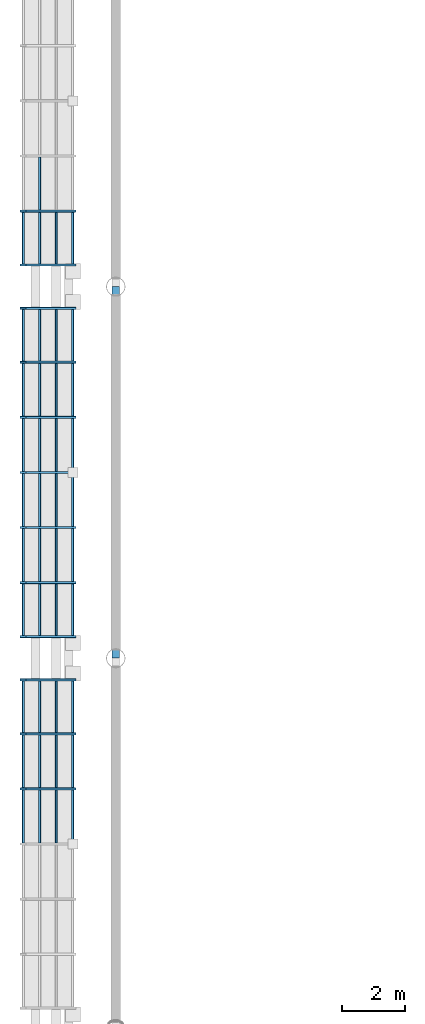
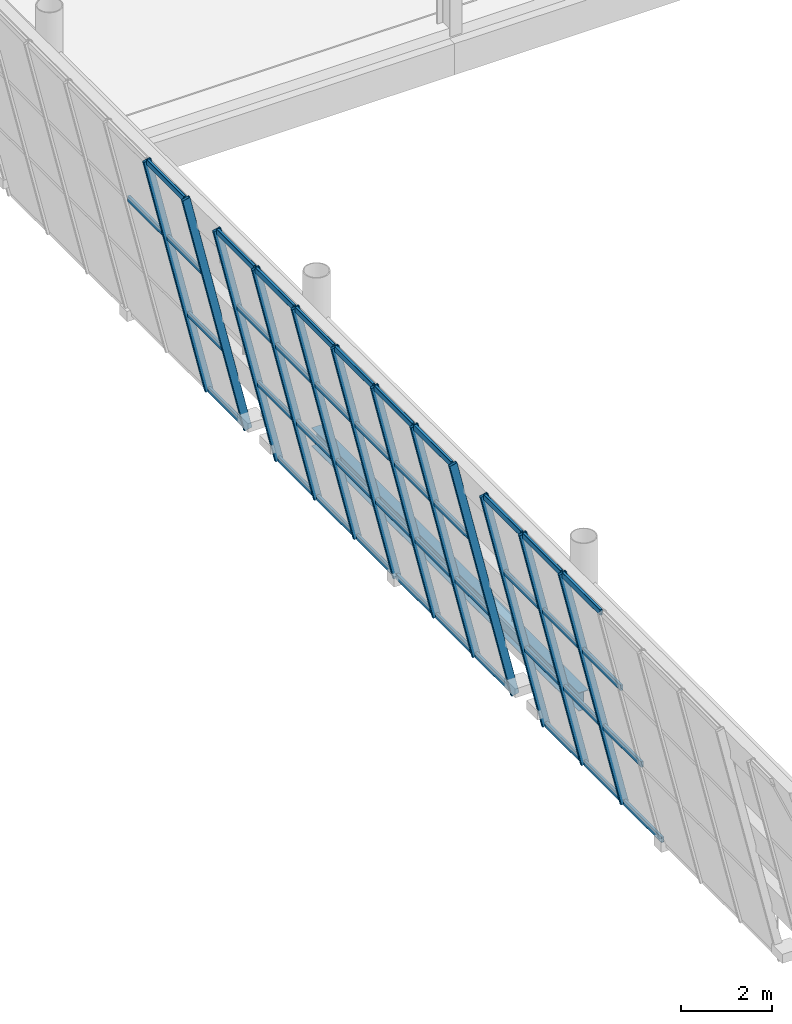
# One storey, part 32 of 157: 53 members, 1 beam, 3 elements without a shape of their own.
"""IFC4 building model written with IfcOpenShell, lengths in metres."""

import ifcopenshell
import ifcopenshell.guid

model = None  # the IFC model being written
_history = None  # IfcOwnerHistory: only IFC2X3 demands one
_inside = {}  # id of a spatial element -> (the spatial element, [elements in it])
_under = {}  # id of a project, library or spatial element -> (it, [spatial elements below it])
_declared = {}  # id of a project -> (the project, [libraries it declares])
_typed = {}  # id of a type object -> (the type object, [elements of that type])
_made_of = {}  # id of a material, layer set ... -> (it, [elements and type objects made of it])


def new_model(schema):
    """Start an empty IFC model of exactly this schema.

    Asked for "IFC4X3", IfcOpenShell would pick the latest addendum, in which some entities
    have other attributes; the version numbers below select the first issue.
    IFC2X3 requires an IfcOwnerHistory on every rooted entity: one is made here for all.
    """
    global model, _history
    if schema == "IFC4X3":
        model = ifcopenshell.file(schema_version=(4, 3, 0, 0))
    else:
        model = ifcopenshell.file(schema=schema)
    _inside.clear()
    _under.clear()
    _declared.clear()
    _typed.clear()
    _made_of.clear()
    _history = None
    if model.schema == "IFC2X3":
        org = make("IfcOrganization", Name="unknown")
        user = make(
            "IfcPersonAndOrganization",
            ThePerson=make("IfcPerson", FamilyName="unknown"),
            TheOrganization=org,
        )
        app = make(
            "IfcApplication",
            ApplicationDeveloper=org,
            Version="unknown",
            ApplicationFullName="unknown",
            ApplicationIdentifier="unknown",
        )
        _history = make(
            "IfcOwnerHistory",
            OwningUser=user,
            OwningApplication=app,
            ChangeAction="ADDED",
            CreationDate=0,
        )
    return model


def make(cls, **values):
    """One entity of the class cls with the attributes given. An attribute that is None is left unset."""
    return model.create_entity(
        cls, **{name: value for name, value in values.items() if value is not None}
    )


def rooted(cls, **values):
    """An entity with a GlobalId (a new one), such as an element, a storey or a relation."""
    return make(cls, GlobalId=ifcopenshell.guid.new(), OwnerHistory=_history, **values)


def si_unit(unit_type, name, prefix=None):
    """IfcSIUnit, for example si_unit("LENGTHUNIT", "METRE", prefix="MILLI")."""
    return make("IfcSIUnit", UnitType=unit_type, Prefix=prefix, Name=name)


def assignment(units):
    """IfcUnitAssignment: the units of a project."""
    return None if units is None else make("IfcUnitAssignment", Units=units)


def point(xyz):
    """IfcCartesianPoint."""
    return None if xyz is None else make("IfcCartesianPoint", Coordinates=xyz)


def direction(xyz):
    """IfcDirection."""
    return None if xyz is None else make("IfcDirection", DirectionRatios=xyz)


def frame(location, z_axis=None, x_axis=None):
    """IfcAxis2Placement3D, a coordinate frame: its origin and axes. An axis left out is left unset."""
    return make(
        "IfcAxis2Placement3D",
        Location=point(location),
        Axis=direction(z_axis),
        RefDirection=direction(x_axis),
    )


def frame_2d(location, x_axis=None):
    """IfcAxis2Placement2D, a coordinate frame in the plane: its origin and x axis."""
    return make(
        "IfcAxis2Placement2D", Location=point(location), RefDirection=direction(x_axis)
    )


def origin():
    """The frame at (0, 0, 0) with its axes left unset."""
    return frame((0.0, 0.0, 0.0))


def origin_2d():
    """The frame at (0, 0) in the plane with its x axis left unset."""
    return frame_2d((0.0, 0.0))


def place(relative_to, where):
    """IfcLocalPlacement: puts the frame where relative to a parent placement (None: the world)."""
    return make(
        "IfcLocalPlacement", PlacementRelTo=relative_to, RelativePlacement=where
    )


def context(
    kind, dimensions, precision=None, world=None, true_north=None, identifier=None
):
    """IfcGeometricRepresentationContext, for example the 3D "Model" context."""
    return make(
        "IfcGeometricRepresentationContext",
        ContextIdentifier=identifier,
        ContextType=kind,
        CoordinateSpaceDimension=dimensions,
        Precision=precision,
        WorldCoordinateSystem=world,
        TrueNorth=true_north,
    )


def subcontext(parent, identifier, kind, view, scale=None):
    """IfcGeometricRepresentationSubContext, for example "Body" below "Model"."""
    return make(
        "IfcGeometricRepresentationSubContext",
        ContextIdentifier=identifier,
        ContextType=kind,
        ParentContext=parent,
        TargetScale=scale,
        TargetView=view,
    )


def project(units=None, contexts=None):
    """IfcProject with its units and contexts."""
    return rooted(
        "IfcProject",
        Name="project",
        RepresentationContexts=contexts,
        UnitsInContext=assignment(units),
    )


def spatial(cls, under=None, at=None, **own):
    """A site, building, storey or space (cls), placed at a placement, below another one or the project."""
    s = rooted(cls, ObjectPlacement=at, **own)
    if under is not None:
        _under.setdefault(under.id(), (under, []))[1].append(s)
    return s


def profile(cls, at=None, kind="AREA", **sizes):
    """A parametric profile (cls). Its sizes go by their IFC names, for example OverallWidth=200.0."""
    return make(cls, ProfileType=kind, Position=at, **sizes)


def hollow_rectangle(**sizes):
    """IfcRectangleHollowProfileDef."""
    return profile("IfcRectangleHollowProfileDef", **sizes)


def i_section(**sizes):
    """IfcIShapeProfileDef."""
    return profile("IfcIShapeProfileDef", **sizes)


def extrude(swept, where, along, depth):
    """IfcExtrudedAreaSolid: the profile swept, set in the frame where, extruded along a direction by depth."""
    return make(
        "IfcExtrudedAreaSolid",
        SweptArea=swept,
        Position=where,
        ExtrudedDirection=direction(along),
        Depth=depth,
    )


def shape(context_of_items, identifier, shape_type, items):
    """IfcShapeRepresentation: the items that make up one representation, for example the "Body"."""
    return make(
        "IfcShapeRepresentation",
        ContextOfItems=context_of_items,
        RepresentationIdentifier=identifier,
        RepresentationType=shape_type,
        Items=items,
    )


def material(Name=None, Category=None):
    """IfcMaterial."""
    return make("IfcMaterial", Name=Name, Category=Category)


def material_profile(
    of_material, cross_section, Name=None, Category=None, Priority=None
):
    """IfcMaterialProfile: a cross section and its material."""
    return make(
        "IfcMaterialProfile",
        Name=Name,
        Material=of_material,
        Profile=cross_section,
        Priority=Priority,
        Category=Category,
    )


def profile_set(profiles, Name=None, composite=None):
    """IfcMaterialProfileSet."""
    return make(
        "IfcMaterialProfileSet",
        Name=Name,
        MaterialProfiles=profiles,
        CompositeProfile=composite,
    )


def made_of(thing, what):
    """Note that an element or type object is made of a material, layer set ...; save() writes the relation."""
    if what is not None:
        _made_of.setdefault(what.id(), (what, []))[1].append(thing)
    return thing


def type_object(cls, material=None, **own):
    """A type object (cls), such as IfcWallType, which elements share."""
    return made_of(rooted(cls, **own), material)


def element(
    cls,
    number,
    at=None,
    inside=None,
    cuts=None,
    type_object=None,
    material=None,
    context=None,
    identifier="Body",
    shape_type=None,
    held_by="IfcProductDefinitionShape",
    body=None,
    shapes=None,
    **own,
):
    """One element of the class cls, such as IfcWall. Its Tag is "e" and its number.

    at: its placement. inside: the storey or other place that contains it. cuts: it is an
    opening in that element (IfcRelVoidsElement). A single representation is given by context,
    identifier, shape_type and body (its items); several are given by shapes. held_by: the class
    of the entity that holds the representations. save() writes the other relations.
    """
    e = rooted(cls, Tag="e%d" % number, ObjectPlacement=at, **own)
    if body is not None:
        shapes = [shape(context, identifier, shape_type, body)]
    if shapes is not None:
        e.Representation = make(held_by, Representations=shapes)
    if inside is not None:
        _inside.setdefault(inside.id(), (inside, []))[1].append(e)
    if cuts is not None:
        rooted(
            "IfcRelVoidsElement", RelatingBuildingElement=cuts, RelatedOpeningElement=e
        )
    if type_object is not None:
        _typed.setdefault(type_object.id(), (type_object, []))[1].append(e)
    return made_of(e, material)


def aggregate(whole, parts):
    """IfcRelAggregates: a whole, such as a stair, and the parts it consists of."""
    return rooted("IfcRelAggregates", RelatingObject=whole, RelatedObjects=parts)


def save(model, path):
    """Write the relations noted so far, then the file.

    IfcRelAggregates (storeys below a building ...), IfcRelContainedInSpatialStructure (elements
    in a storey), IfcRelDefinesByType, IfcRelAssociatesMaterial and IfcRelDeclares: one each for
    every whole, place, type object, material and project.
    """
    for whole, parts in _under.values():
        aggregate(whole, parts)
    for where, things in _inside.values():
        rooted(
            "IfcRelContainedInSpatialStructure",
            RelatedElements=things,
            RelatingStructure=where,
        )
    for kind, things in _typed.values():
        rooted("IfcRelDefinesByType", RelatedObjects=things, RelatingType=kind)
    for what, things in _made_of.values():
        rooted("IfcRelAssociatesMaterial", RelatedObjects=things, RelatingMaterial=what)
    for by, libraries in _declared.values():
        rooted("IfcRelDeclares", RelatingContext=by, RelatedDefinitions=libraries)
    model.write(path)


model = new_model("IFC4")

# Units and contexts
model_context = context("Model", 3, precision=1e-05, world=origin(), true_north=direction((0.0, 1.0)))
body_context = subcontext(model_context, "Body", "Model", "MODEL_VIEW")
ifc_project = project(units=[si_unit("LENGTHUNIT", "METRE"), si_unit("AREAUNIT", "SQUARE_METRE"), si_unit("VOLUMEUNIT", "CUBIC_METRE"), si_unit("PLANEANGLEUNIT", "RADIAN"), si_unit("MASSUNIT", "GRAM", prefix="KILO")], contexts=[model_context])

# Site, building, storey
site_placement = place(None, origin())
site = spatial("IfcSite", under=ifc_project, at=site_placement, CompositionType="ELEMENT")
building_placement = place(site_placement, origin())
building = spatial("IfcBuilding", under=site, at=building_placement, Name="Brelvane Convention Centre", CompositionType="ELEMENT")
storey_placement = place(building_placement, frame((0.0, 0.0, 10.800048828125)))
storey = spatial("IfcBuildingStorey", under=building, at=storey_placement, Name="L02", CompositionType="ELEMENT", Elevation=10.800048828125)

# Curtain wall, members
ifc_material_1 = material(Name="Anodised Aluminium Alloy 6063-T6", Category="aluminium")
curtain_wall_type = type_object("IfcCurtainWallType", Name="Curtain Wall CW-HULL-S", PredefinedType="USERDEFINED", material=ifc_material_1)
curtain_wall_1_placement = place(storey_placement, origin())
curtain_wall_1 = element("IfcCurtainWall", 1, at=curtain_wall_1_placement, inside=storey, type_object=curtain_wall_type, Name="Curtain Wall CW-HULL-S L02-HULL-W-L02-4", ObjectType="UNITISED", PredefinedType="USERDEFINED")
ifc_material_2 = material(Name="Anodised Aluminium Alloy 6063-T6", Category="aluminium")
ifc_material_profile_1 = material_profile(ifc_material_2, hollow_rectangle(XDim=0.074951171875, YDim=0.199951171875, WallThickness=0.0048828125, InnerFilletRadius=0.0048828125, OuterFilletRadius=0.010009765625, at=origin_2d()), Name="ALU-M 200x75x5.0")
ifc_profile_set_1 = profile_set([ifc_material_profile_1], Name="Anodised Aluminium Alloy 6063-T6")
member_type_1 = type_object("IfcMemberType", Name="Curtain Mullion CW-M2", PredefinedType="MULLION", material=ifc_profile_set_1)
member_1_placement = place(storey_placement, frame((-1.360107421875, 71.85009765625, 0.0), z_axis=(-0.228324840492, 0.0, 0.973585007698), x_axis=(0.0, -1.0, 0.0)))
member_1 = element("IfcMember", 2, at=member_1_placement, type_object=member_type_1, Name="CW-HULL-S mullion 5", PredefinedType="MULLION", context=body_context, shape_type="SweptSolid", body=[
    extrude(hollow_rectangle(XDim=0.074951171875, YDim=0.199951171875, WallThickness=0.0048828125, InnerFilletRadius=0.0048828125, OuterFilletRadius=0.010009765625, at=origin_2d()), origin(), (0.0, 0.0, 1.0), 6.93310546875),
])
member_2_placement = place(storey_placement, frame((-1.360107421875, 73.60009765625, 0.0), z_axis=(-0.228324840492, 0.0, 0.973585007698), x_axis=(0.0, -1.0, 0.0)))
member_2 = element("IfcMember", 3, at=member_2_placement, type_object=member_type_1, Name="CW-HULL-S mullion 6", PredefinedType="MULLION", context=body_context, shape_type="SweptSolid", body=[
    extrude(hollow_rectangle(XDim=0.074951171875, YDim=0.199951171875, WallThickness=0.0048828125, InnerFilletRadius=0.0048828125, OuterFilletRadius=0.010009765625, at=origin_2d()), origin(), (0.0, 0.0, 1.0), 6.93310546875),
])
member_3_placement = place(storey_placement, frame((-1.360107421875, 75.3125, 0.0), z_axis=(-0.228324840492, 0.0, 0.973585007698), x_axis=(0.0, -1.0, 0.0)))
member_3 = element("IfcMember", 4, at=member_3_placement, type_object=member_type_1, Name="CW-HULL-S mullion 7", PredefinedType="MULLION", context=body_context, shape_type="SweptSolid", body=[
    extrude(hollow_rectangle(XDim=0.074951171875, YDim=0.199951171875, WallThickness=0.0048828125, InnerFilletRadius=0.0048828125, OuterFilletRadius=0.010009765625, at=origin_2d()), origin(), (0.0, 0.0, 1.0), 6.93310546875),
])

curtain_wall_2_placement = place(storey_placement, origin())
curtain_wall_2 = element("IfcCurtainWall", 5, at=curtain_wall_2_placement, inside=storey, type_object=curtain_wall_type, Name="Curtain Wall CW-HULL-S L02-HULL-W-L02-5", ObjectType="UNITISED", PredefinedType="USERDEFINED")
member_4_placement = place(storey_placement, frame((-1.360107421875, 76.6875, 0.0), z_axis=(-0.228324840492, 0.0, 0.973585007698), x_axis=(0.0, -1.0, 0.0)))
member_4 = element("IfcMember", 6, at=member_4_placement, type_object=member_type_1, Name="CW-HULL-S mullion 1", PredefinedType="MULLION", context=body_context, shape_type="SweptSolid", body=[
    extrude(hollow_rectangle(XDim=0.074951171875, YDim=0.199951171875, WallThickness=0.0048828125, InnerFilletRadius=0.0048828125, OuterFilletRadius=0.010009765625, at=origin_2d()), origin(), (0.0, 0.0, 1.0), 6.93310546875),
])
member_5_placement = place(storey_placement, frame((-1.360107421875, 78.39990234375, 0.0), z_axis=(-0.228324840492, 0.0, 0.973585007698), x_axis=(0.0, -1.0, 0.0)))
member_5 = element("IfcMember", 7, at=member_5_placement, type_object=member_type_1, Name="CW-HULL-S mullion 2", PredefinedType="MULLION", context=body_context, shape_type="SweptSolid", body=[
    extrude(hollow_rectangle(XDim=0.074951171875, YDim=0.199951171875, WallThickness=0.0048828125, InnerFilletRadius=0.0048828125, OuterFilletRadius=0.010009765625, at=origin_2d()), origin(), (0.0, 0.0, 1.0), 6.93310546875),
])
member_6_placement = place(storey_placement, frame((-1.360107421875, 80.14990234375, 0.0), z_axis=(-0.228324840492, 0.0, 0.973585007698), x_axis=(0.0, -1.0, 0.0)))
member_6 = element("IfcMember", 8, at=member_6_placement, type_object=member_type_1, Name="CW-HULL-S mullion 3", PredefinedType="MULLION", context=body_context, shape_type="SweptSolid", body=[
    extrude(hollow_rectangle(XDim=0.074951171875, YDim=0.199951171875, WallThickness=0.0048828125, InnerFilletRadius=0.0048828125, OuterFilletRadius=0.010009765625, at=origin_2d()), origin(), (0.0, 0.0, 1.0), 6.93310546875),
])
member_7_placement = place(storey_placement, frame((-1.360107421875, 81.89990234375, 0.0), z_axis=(-0.228324840492, 0.0, 0.973585007698), x_axis=(0.0, -1.0, 0.0)))
member_7 = element("IfcMember", 9, at=member_7_placement, type_object=member_type_1, Name="CW-HULL-S mullion 4", PredefinedType="MULLION", context=body_context, shape_type="SweptSolid", body=[
    extrude(hollow_rectangle(XDim=0.074951171875, YDim=0.199951171875, WallThickness=0.0048828125, InnerFilletRadius=0.0048828125, OuterFilletRadius=0.010009765625, at=origin_2d()), origin(), (0.0, 0.0, 1.0), 6.93310546875),
])
member_8_placement = place(storey_placement, frame((-1.360107421875, 83.64990234375, 0.0), z_axis=(-0.228324840492, 0.0, 0.973585007698), x_axis=(0.0, -1.0, 0.0)))
member_8 = element("IfcMember", 10, at=member_8_placement, type_object=member_type_1, Name="CW-HULL-S mullion 5", PredefinedType="MULLION", context=body_context, shape_type="SweptSolid", body=[
    extrude(hollow_rectangle(XDim=0.074951171875, YDim=0.199951171875, WallThickness=0.0048828125, InnerFilletRadius=0.0048828125, OuterFilletRadius=0.010009765625, at=origin_2d()), origin(), (0.0, 0.0, 1.0), 6.93310546875),
])
member_9_placement = place(storey_placement, frame((-1.360107421875, 85.39990234375, 0.0), z_axis=(-0.228324840492, 0.0, 0.973585007698), x_axis=(0.0, -1.0, 0.0)))
member_9 = element("IfcMember", 11, at=member_9_placement, type_object=member_type_1, Name="CW-HULL-S mullion 6", PredefinedType="MULLION", context=body_context, shape_type="SweptSolid", body=[
    extrude(hollow_rectangle(XDim=0.074951171875, YDim=0.199951171875, WallThickness=0.0048828125, InnerFilletRadius=0.0048828125, OuterFilletRadius=0.010009765625, at=origin_2d()), origin(), (0.0, 0.0, 1.0), 6.93310546875),
])
member_10_placement = place(storey_placement, frame((-1.360107421875, 87.112548828125, 0.0), z_axis=(-0.228324840492, 0.0, 0.973585007698), x_axis=(0.0, -1.0, 0.0)))
member_10 = element("IfcMember", 12, at=member_10_placement, type_object=member_type_1, Name="CW-HULL-S mullion 7", PredefinedType="MULLION", context=body_context, shape_type="SweptSolid", body=[
    extrude(hollow_rectangle(XDim=0.074951171875, YDim=0.199951171875, WallThickness=0.0048828125, InnerFilletRadius=0.0048828125, OuterFilletRadius=0.010009765625, at=origin_2d()), origin(), (0.0, 0.0, 1.0), 6.93310546875),
])

curtain_wall_3_placement = place(storey_placement, origin())
curtain_wall_3 = element("IfcCurtainWall", 13, at=curtain_wall_3_placement, inside=storey, type_object=curtain_wall_type, Name="Curtain Wall CW-HULL-S L02-HULL-W-L02-6", ObjectType="UNITISED", PredefinedType="USERDEFINED")
member_11_placement = place(storey_placement, frame((-1.360107421875, 88.487548828125, 0.0), z_axis=(-0.228324840492, 0.0, 0.973585007698), x_axis=(0.0, -1.0, 0.0)))
member_11 = element("IfcMember", 14, at=member_11_placement, type_object=member_type_1, Name="CW-HULL-S mullion 1", PredefinedType="MULLION", context=body_context, shape_type="SweptSolid", body=[
    extrude(hollow_rectangle(XDim=0.074951171875, YDim=0.199951171875, WallThickness=0.0048828125, InnerFilletRadius=0.0048828125, OuterFilletRadius=0.010009765625, at=origin_2d()), origin(), (0.0, 0.0, 1.0), 6.93310546875),
])
member_12_placement = place(storey_placement, frame((-1.360107421875, 90.199951171875, 0.0), z_axis=(-0.228324840492, 0.0, 0.973585007698), x_axis=(0.0, -1.0, 0.0)))
member_12 = element("IfcMember", 15, at=member_12_placement, type_object=member_type_1, Name="CW-HULL-S mullion 2", PredefinedType="MULLION", context=body_context, shape_type="SweptSolid", body=[
    extrude(hollow_rectangle(XDim=0.074951171875, YDim=0.199951171875, WallThickness=0.0048828125, InnerFilletRadius=0.0048828125, OuterFilletRadius=0.010009765625, at=origin_2d()), origin(), (0.0, 0.0, 1.0), 6.93310546875),
])

# Member
ifc_material_3 = material(Name="Anodised Aluminium Alloy 6063-T6", Category="aluminium")
ifc_material_profile_2 = material_profile(ifc_material_3, hollow_rectangle(XDim=0.070068359375, YDim=0.14990234375, WallThickness=0.00439453125, InnerFilletRadius=0.00439453125, OuterFilletRadius=0.009033203125, at=origin_2d()), Name="ALU-T 150x70x4.5")
ifc_profile_set_2 = profile_set([ifc_material_profile_2], Name="Anodised Aluminium Alloy 6063-T6")
member_type_2 = type_object("IfcMemberType", Name="Curtain Transom CW-T2", PredefinedType="USERDEFINED", material=ifc_profile_set_2)
member_13_placement = place(storey_placement, frame((-1.3681640625, 70.137451171875, 0.034912109375), z_axis=(0.0, 1.0, 0.0), x_axis=(-1.0, 0.0, 0.0)))
member_13 = element("IfcMember", 16, at=member_13_placement, type_object=member_type_2, Name="CW-HULL-S transom 4.1", ObjectType="TRANSOM", PredefinedType="USERDEFINED", context=body_context, shape_type="SweptSolid", body=[
    extrude(hollow_rectangle(XDim=0.070068359375, YDim=0.14990234375, WallThickness=0.00439453125, InnerFilletRadius=0.00439453125, OuterFilletRadius=0.009033203125, at=origin_2d()), origin(), (0.0, 0.0, 1.0), 1.675048828125),
])

member_14_placement = place(storey_placement, frame((-1.8876953125, 70.137451171875, 2.25), z_axis=(0.0, 1.0, 0.0), x_axis=(-1.0, 0.0, 0.0)))
member_14 = element("IfcMember", 17, at=member_14_placement, type_object=member_type_2, Name="CW-HULL-S transom 4.2", ObjectType="TRANSOM", PredefinedType="USERDEFINED", context=body_context, shape_type="SweptSolid", body=[
    extrude(hollow_rectangle(XDim=0.070068359375, YDim=0.14990234375, WallThickness=0.00439453125, InnerFilletRadius=0.00439453125, OuterFilletRadius=0.009033203125, at=origin_2d()), origin(), (0.0, 0.0, 1.0), 1.675048828125),
])

member_15_placement = place(storey_placement, frame((-2.41552734375, 70.137451171875, 4.5), z_axis=(0.0, 1.0, 0.0), x_axis=(-1.0, 0.0, 0.0)))
member_15 = element("IfcMember", 18, at=member_15_placement, type_object=member_type_2, Name="CW-HULL-S transom 4.3", ObjectType="TRANSOM", PredefinedType="USERDEFINED", context=body_context, shape_type="SweptSolid", body=[
    extrude(hollow_rectangle(XDim=0.070068359375, YDim=0.14990234375, WallThickness=0.00439453125, InnerFilletRadius=0.00439453125, OuterFilletRadius=0.009033203125, at=origin_2d()), origin(), (0.0, 0.0, 1.0), 1.675048828125),
])

member_16_placement = place(storey_placement, frame((-2.93505859375, 70.137451171875, 6.71484375), z_axis=(0.0, 1.0, 0.0), x_axis=(-1.0, 0.0, 0.0)))
member_16 = element("IfcMember", 19, at=member_16_placement, type_object=member_type_2, Name="CW-HULL-S transom 4.4", ObjectType="TRANSOM", PredefinedType="USERDEFINED", context=body_context, shape_type="SweptSolid", body=[
    extrude(hollow_rectangle(XDim=0.070068359375, YDim=0.14990234375, WallThickness=0.00439453125, InnerFilletRadius=0.00439453125, OuterFilletRadius=0.009033203125, at=origin_2d()), origin(), (0.0, 0.0, 1.0), 1.675048828125),
])

member_17_placement = place(storey_placement, frame((-1.3681640625, 71.887451171875, 0.034912109375), z_axis=(0.0, 1.0, 0.0), x_axis=(-1.0, 0.0, 0.0)))
member_17 = element("IfcMember", 20, at=member_17_placement, type_object=member_type_2, Name="CW-HULL-S transom 5.1", ObjectType="TRANSOM", PredefinedType="USERDEFINED", context=body_context, shape_type="SweptSolid", body=[
    extrude(hollow_rectangle(XDim=0.070068359375, YDim=0.14990234375, WallThickness=0.00439453125, InnerFilletRadius=0.00439453125, OuterFilletRadius=0.009033203125, at=origin_2d()), origin(), (0.0, 0.0, 1.0), 1.675048828125),
])

member_18_placement = place(storey_placement, frame((-1.8876953125, 71.887451171875, 2.25), z_axis=(0.0, 1.0, 0.0), x_axis=(-1.0, 0.0, 0.0)))
member_18 = element("IfcMember", 21, at=member_18_placement, type_object=member_type_2, Name="CW-HULL-S transom 5.2", ObjectType="TRANSOM", PredefinedType="USERDEFINED", context=body_context, shape_type="SweptSolid", body=[
    extrude(hollow_rectangle(XDim=0.070068359375, YDim=0.14990234375, WallThickness=0.00439453125, InnerFilletRadius=0.00439453125, OuterFilletRadius=0.009033203125, at=origin_2d()), origin(), (0.0, 0.0, 1.0), 1.675048828125),
])

member_19_placement = place(storey_placement, frame((-2.41552734375, 71.887451171875, 4.5), z_axis=(0.0, 1.0, 0.0), x_axis=(-1.0, 0.0, 0.0)))
member_19 = element("IfcMember", 22, at=member_19_placement, type_object=member_type_2, Name="CW-HULL-S transom 5.3", ObjectType="TRANSOM", PredefinedType="USERDEFINED", context=body_context, shape_type="SweptSolid", body=[
    extrude(hollow_rectangle(XDim=0.070068359375, YDim=0.14990234375, WallThickness=0.00439453125, InnerFilletRadius=0.00439453125, OuterFilletRadius=0.009033203125, at=origin_2d()), origin(), (0.0, 0.0, 1.0), 1.675048828125),
])

member_20_placement = place(storey_placement, frame((-2.93505859375, 71.887451171875, 6.71484375), z_axis=(0.0, 1.0, 0.0), x_axis=(-1.0, 0.0, 0.0)))
member_20 = element("IfcMember", 23, at=member_20_placement, type_object=member_type_2, Name="CW-HULL-S transom 5.4", ObjectType="TRANSOM", PredefinedType="USERDEFINED", context=body_context, shape_type="SweptSolid", body=[
    extrude(hollow_rectangle(XDim=0.070068359375, YDim=0.14990234375, WallThickness=0.00439453125, InnerFilletRadius=0.00439453125, OuterFilletRadius=0.009033203125, at=origin_2d()), origin(), (0.0, 0.0, 1.0), 1.675048828125),
])

member_21_placement = place(storey_placement, frame((-1.3681640625, 73.637451171875, 0.034912109375), z_axis=(0.0, 1.0, 0.0), x_axis=(-1.0, 0.0, 0.0)))
member_21 = element("IfcMember", 24, at=member_21_placement, type_object=member_type_2, Name="CW-HULL-S transom 6.1", ObjectType="TRANSOM", PredefinedType="USERDEFINED", context=body_context, shape_type="SweptSolid", body=[
    extrude(hollow_rectangle(XDim=0.070068359375, YDim=0.14990234375, WallThickness=0.00439453125, InnerFilletRadius=0.00439453125, OuterFilletRadius=0.009033203125, at=origin_2d()), origin(), (0.0, 0.0, 1.0), 1.637451171875),
])

member_22_placement = place(storey_placement, frame((-1.8876953125, 73.637451171875, 2.25), z_axis=(0.0, 1.0, 0.0), x_axis=(-1.0, 0.0, 0.0)))
member_22 = element("IfcMember", 25, at=member_22_placement, type_object=member_type_2, Name="CW-HULL-S transom 6.2", ObjectType="TRANSOM", PredefinedType="USERDEFINED", context=body_context, shape_type="SweptSolid", body=[
    extrude(hollow_rectangle(XDim=0.070068359375, YDim=0.14990234375, WallThickness=0.00439453125, InnerFilletRadius=0.00439453125, OuterFilletRadius=0.009033203125, at=origin_2d()), origin(), (0.0, 0.0, 1.0), 1.637451171875),
])

member_23_placement = place(storey_placement, frame((-2.41552734375, 73.637451171875, 4.5), z_axis=(0.0, 1.0, 0.0), x_axis=(-1.0, 0.0, 0.0)))
member_23 = element("IfcMember", 26, at=member_23_placement, type_object=member_type_2, Name="CW-HULL-S transom 6.3", ObjectType="TRANSOM", PredefinedType="USERDEFINED", context=body_context, shape_type="SweptSolid", body=[
    extrude(hollow_rectangle(XDim=0.070068359375, YDim=0.14990234375, WallThickness=0.00439453125, InnerFilletRadius=0.00439453125, OuterFilletRadius=0.009033203125, at=origin_2d()), origin(), (0.0, 0.0, 1.0), 1.637451171875),
])

member_24_placement = place(storey_placement, frame((-2.93505859375, 73.637451171875, 6.71484375), z_axis=(0.0, 1.0, 0.0), x_axis=(-1.0, 0.0, 0.0)))
member_24 = element("IfcMember", 27, at=member_24_placement, type_object=member_type_2, Name="CW-HULL-S transom 6.4", ObjectType="TRANSOM", PredefinedType="USERDEFINED", context=body_context, shape_type="SweptSolid", body=[
    extrude(hollow_rectangle(XDim=0.070068359375, YDim=0.14990234375, WallThickness=0.00439453125, InnerFilletRadius=0.00439453125, OuterFilletRadius=0.009033203125, at=origin_2d()), origin(), (0.0, 0.0, 1.0), 1.637451171875),
])

aggregate(curtain_wall_1, [member_1, member_2, member_3, member_13, member_14, member_15, member_16, member_17, member_18, member_19, member_20, member_21, member_22, member_23, member_24])

member_25_placement = place(storey_placement, frame((-1.3681640625, 76.72509765625, 0.034912109375), z_axis=(0.0, 1.0, 0.0), x_axis=(-1.0, 0.0, 0.0)))
member_25 = element("IfcMember", 28, at=member_25_placement, type_object=member_type_2, Name="CW-HULL-S transom 1.1", ObjectType="TRANSOM", PredefinedType="USERDEFINED", context=body_context, shape_type="SweptSolid", body=[
    extrude(hollow_rectangle(XDim=0.070068359375, YDim=0.14990234375, WallThickness=0.00439453125, InnerFilletRadius=0.00439453125, OuterFilletRadius=0.009033203125, at=origin_2d()), origin(), (0.0, 0.0, 1.0), 1.637451171875),
])

member_26_placement = place(storey_placement, frame((-1.8876953125, 76.72509765625, 2.25), z_axis=(0.0, 1.0, 0.0), x_axis=(-1.0, 0.0, 0.0)))
member_26 = element("IfcMember", 29, at=member_26_placement, type_object=member_type_2, Name="CW-HULL-S transom 1.2", ObjectType="TRANSOM", PredefinedType="USERDEFINED", context=body_context, shape_type="SweptSolid", body=[
    extrude(hollow_rectangle(XDim=0.070068359375, YDim=0.14990234375, WallThickness=0.00439453125, InnerFilletRadius=0.00439453125, OuterFilletRadius=0.009033203125, at=origin_2d()), origin(), (0.0, 0.0, 1.0), 1.637451171875),
])

member_27_placement = place(storey_placement, frame((-2.41552734375, 76.72509765625, 4.5), z_axis=(0.0, 1.0, 0.0), x_axis=(-1.0, 0.0, 0.0)))
member_27 = element("IfcMember", 30, at=member_27_placement, type_object=member_type_2, Name="CW-HULL-S transom 1.3", ObjectType="TRANSOM", PredefinedType="USERDEFINED", context=body_context, shape_type="SweptSolid", body=[
    extrude(hollow_rectangle(XDim=0.070068359375, YDim=0.14990234375, WallThickness=0.00439453125, InnerFilletRadius=0.00439453125, OuterFilletRadius=0.009033203125, at=origin_2d()), origin(), (0.0, 0.0, 1.0), 1.637451171875),
])

member_28_placement = place(storey_placement, frame((-2.93505859375, 76.72509765625, 6.71484375), z_axis=(0.0, 1.0, 0.0), x_axis=(-1.0, 0.0, 0.0)))
member_28 = element("IfcMember", 31, at=member_28_placement, type_object=member_type_2, Name="CW-HULL-S transom 1.4", ObjectType="TRANSOM", PredefinedType="USERDEFINED", context=body_context, shape_type="SweptSolid", body=[
    extrude(hollow_rectangle(XDim=0.070068359375, YDim=0.14990234375, WallThickness=0.00439453125, InnerFilletRadius=0.00439453125, OuterFilletRadius=0.009033203125, at=origin_2d()), origin(), (0.0, 0.0, 1.0), 1.637451171875),
])

member_29_placement = place(storey_placement, frame((-1.3681640625, 78.4375, 0.034912109375), z_axis=(0.0, 1.0, 0.0), x_axis=(-1.0, 0.0, 0.0)))
member_29 = element("IfcMember", 32, at=member_29_placement, type_object=member_type_2, Name="CW-HULL-S transom 2.1", ObjectType="TRANSOM", PredefinedType="USERDEFINED", context=body_context, shape_type="SweptSolid", body=[
    extrude(hollow_rectangle(XDim=0.070068359375, YDim=0.14990234375, WallThickness=0.00439453125, InnerFilletRadius=0.00439453125, OuterFilletRadius=0.009033203125, at=origin_2d()), origin(), (0.0, 0.0, 1.0), 1.675048828125),
])

member_30_placement = place(storey_placement, frame((-1.8876953125, 78.4375, 2.25), z_axis=(0.0, 1.0, 0.0), x_axis=(-1.0, 0.0, 0.0)))
member_30 = element("IfcMember", 33, at=member_30_placement, type_object=member_type_2, Name="CW-HULL-S transom 2.2", ObjectType="TRANSOM", PredefinedType="USERDEFINED", context=body_context, shape_type="SweptSolid", body=[
    extrude(hollow_rectangle(XDim=0.070068359375, YDim=0.14990234375, WallThickness=0.00439453125, InnerFilletRadius=0.00439453125, OuterFilletRadius=0.009033203125, at=origin_2d()), origin(), (0.0, 0.0, 1.0), 1.675048828125),
])

member_31_placement = place(storey_placement, frame((-2.41552734375, 78.4375, 4.5), z_axis=(0.0, 1.0, 0.0), x_axis=(-1.0, 0.0, 0.0)))
member_31 = element("IfcMember", 34, at=member_31_placement, type_object=member_type_2, Name="CW-HULL-S transom 2.3", ObjectType="TRANSOM", PredefinedType="USERDEFINED", context=body_context, shape_type="SweptSolid", body=[
    extrude(hollow_rectangle(XDim=0.070068359375, YDim=0.14990234375, WallThickness=0.00439453125, InnerFilletRadius=0.00439453125, OuterFilletRadius=0.009033203125, at=origin_2d()), origin(), (0.0, 0.0, 1.0), 1.675048828125),
])

member_32_placement = place(storey_placement, frame((-2.93505859375, 78.4375, 6.71484375), z_axis=(0.0, 1.0, 0.0), x_axis=(-1.0, 0.0, 0.0)))
member_32 = element("IfcMember", 35, at=member_32_placement, type_object=member_type_2, Name="CW-HULL-S transom 2.4", ObjectType="TRANSOM", PredefinedType="USERDEFINED", context=body_context, shape_type="SweptSolid", body=[
    extrude(hollow_rectangle(XDim=0.070068359375, YDim=0.14990234375, WallThickness=0.00439453125, InnerFilletRadius=0.00439453125, OuterFilletRadius=0.009033203125, at=origin_2d()), origin(), (0.0, 0.0, 1.0), 1.675048828125),
])

member_33_placement = place(storey_placement, frame((-1.3681640625, 80.1875, 0.034912109375), z_axis=(0.0, 1.0, 0.0), x_axis=(-1.0, 0.0, 0.0)))
member_33 = element("IfcMember", 36, at=member_33_placement, type_object=member_type_2, Name="CW-HULL-S transom 3.1", ObjectType="TRANSOM", PredefinedType="USERDEFINED", context=body_context, shape_type="SweptSolid", body=[
    extrude(hollow_rectangle(XDim=0.070068359375, YDim=0.14990234375, WallThickness=0.00439453125, InnerFilletRadius=0.00439453125, OuterFilletRadius=0.009033203125, at=origin_2d()), origin(), (0.0, 0.0, 1.0), 1.675048828125),
])

member_34_placement = place(storey_placement, frame((-1.8876953125, 80.1875, 2.25), z_axis=(0.0, 1.0, 0.0), x_axis=(-1.0, 0.0, 0.0)))
member_34 = element("IfcMember", 37, at=member_34_placement, type_object=member_type_2, Name="CW-HULL-S transom 3.2", ObjectType="TRANSOM", PredefinedType="USERDEFINED", context=body_context, shape_type="SweptSolid", body=[
    extrude(hollow_rectangle(XDim=0.070068359375, YDim=0.14990234375, WallThickness=0.00439453125, InnerFilletRadius=0.00439453125, OuterFilletRadius=0.009033203125, at=origin_2d()), origin(), (0.0, 0.0, 1.0), 1.675048828125),
])

member_35_placement = place(storey_placement, frame((-2.41552734375, 80.1875, 4.5), z_axis=(0.0, 1.0, 0.0), x_axis=(-1.0, 0.0, 0.0)))
member_35 = element("IfcMember", 38, at=member_35_placement, type_object=member_type_2, Name="CW-HULL-S transom 3.3", ObjectType="TRANSOM", PredefinedType="USERDEFINED", context=body_context, shape_type="SweptSolid", body=[
    extrude(hollow_rectangle(XDim=0.070068359375, YDim=0.14990234375, WallThickness=0.00439453125, InnerFilletRadius=0.00439453125, OuterFilletRadius=0.009033203125, at=origin_2d()), origin(), (0.0, 0.0, 1.0), 1.675048828125),
])

member_36_placement = place(storey_placement, frame((-2.93505859375, 80.1875, 6.71484375), z_axis=(0.0, 1.0, 0.0), x_axis=(-1.0, 0.0, 0.0)))
member_36 = element("IfcMember", 39, at=member_36_placement, type_object=member_type_2, Name="CW-HULL-S transom 3.4", ObjectType="TRANSOM", PredefinedType="USERDEFINED", context=body_context, shape_type="SweptSolid", body=[
    extrude(hollow_rectangle(XDim=0.070068359375, YDim=0.14990234375, WallThickness=0.00439453125, InnerFilletRadius=0.00439453125, OuterFilletRadius=0.009033203125, at=origin_2d()), origin(), (0.0, 0.0, 1.0), 1.675048828125),
])

member_37_placement = place(storey_placement, frame((-1.3681640625, 81.9375, 0.034912109375), z_axis=(0.0, 1.0, 0.0), x_axis=(-1.0, 0.0, 0.0)))
member_37 = element("IfcMember", 40, at=member_37_placement, type_object=member_type_2, Name="CW-HULL-S transom 4.1", ObjectType="TRANSOM", PredefinedType="USERDEFINED", context=body_context, shape_type="SweptSolid", body=[
    extrude(hollow_rectangle(XDim=0.070068359375, YDim=0.14990234375, WallThickness=0.00439453125, InnerFilletRadius=0.00439453125, OuterFilletRadius=0.009033203125, at=origin_2d()), origin(), (0.0, 0.0, 1.0), 1.675048828125),
])

member_38_placement = place(storey_placement, frame((-1.8876953125, 81.9375, 2.25), z_axis=(0.0, 1.0, 0.0), x_axis=(-1.0, 0.0, 0.0)))
member_38 = element("IfcMember", 41, at=member_38_placement, type_object=member_type_2, Name="CW-HULL-S transom 4.2", ObjectType="TRANSOM", PredefinedType="USERDEFINED", context=body_context, shape_type="SweptSolid", body=[
    extrude(hollow_rectangle(XDim=0.070068359375, YDim=0.14990234375, WallThickness=0.00439453125, InnerFilletRadius=0.00439453125, OuterFilletRadius=0.009033203125, at=origin_2d()), origin(), (0.0, 0.0, 1.0), 1.675048828125),
])

member_39_placement = place(storey_placement, frame((-2.41552734375, 81.9375, 4.5), z_axis=(0.0, 1.0, 0.0), x_axis=(-1.0, 0.0, 0.0)))
member_39 = element("IfcMember", 42, at=member_39_placement, type_object=member_type_2, Name="CW-HULL-S transom 4.3", ObjectType="TRANSOM", PredefinedType="USERDEFINED", context=body_context, shape_type="SweptSolid", body=[
    extrude(hollow_rectangle(XDim=0.070068359375, YDim=0.14990234375, WallThickness=0.00439453125, InnerFilletRadius=0.00439453125, OuterFilletRadius=0.009033203125, at=origin_2d()), origin(), (0.0, 0.0, 1.0), 1.675048828125),
])

member_40_placement = place(storey_placement, frame((-2.93505859375, 81.9375, 6.71484375), z_axis=(0.0, 1.0, 0.0), x_axis=(-1.0, 0.0, 0.0)))
member_40 = element("IfcMember", 43, at=member_40_placement, type_object=member_type_2, Name="CW-HULL-S transom 4.4", ObjectType="TRANSOM", PredefinedType="USERDEFINED", context=body_context, shape_type="SweptSolid", body=[
    extrude(hollow_rectangle(XDim=0.070068359375, YDim=0.14990234375, WallThickness=0.00439453125, InnerFilletRadius=0.00439453125, OuterFilletRadius=0.009033203125, at=origin_2d()), origin(), (0.0, 0.0, 1.0), 1.675048828125),
])

member_41_placement = place(storey_placement, frame((-1.3681640625, 83.6875, 0.034912109375), z_axis=(0.0, 1.0, 0.0), x_axis=(-1.0, 0.0, 0.0)))
member_41 = element("IfcMember", 44, at=member_41_placement, type_object=member_type_2, Name="CW-HULL-S transom 5.1", ObjectType="TRANSOM", PredefinedType="USERDEFINED", context=body_context, shape_type="SweptSolid", body=[
    extrude(hollow_rectangle(XDim=0.070068359375, YDim=0.14990234375, WallThickness=0.00439453125, InnerFilletRadius=0.00439453125, OuterFilletRadius=0.009033203125, at=origin_2d()), origin(), (0.0, 0.0, 1.0), 1.675048828125),
])

member_42_placement = place(storey_placement, frame((-1.8876953125, 83.6875, 2.25), z_axis=(0.0, 1.0, 0.0), x_axis=(-1.0, 0.0, 0.0)))
member_42 = element("IfcMember", 45, at=member_42_placement, type_object=member_type_2, Name="CW-HULL-S transom 5.2", ObjectType="TRANSOM", PredefinedType="USERDEFINED", context=body_context, shape_type="SweptSolid", body=[
    extrude(hollow_rectangle(XDim=0.070068359375, YDim=0.14990234375, WallThickness=0.00439453125, InnerFilletRadius=0.00439453125, OuterFilletRadius=0.009033203125, at=origin_2d()), origin(), (0.0, 0.0, 1.0), 1.675048828125),
])

member_43_placement = place(storey_placement, frame((-2.41552734375, 83.6875, 4.5), z_axis=(0.0, 1.0, 0.0), x_axis=(-1.0, 0.0, 0.0)))
member_43 = element("IfcMember", 46, at=member_43_placement, type_object=member_type_2, Name="CW-HULL-S transom 5.3", ObjectType="TRANSOM", PredefinedType="USERDEFINED", context=body_context, shape_type="SweptSolid", body=[
    extrude(hollow_rectangle(XDim=0.070068359375, YDim=0.14990234375, WallThickness=0.00439453125, InnerFilletRadius=0.00439453125, OuterFilletRadius=0.009033203125, at=origin_2d()), origin(), (0.0, 0.0, 1.0), 1.675048828125),
])

member_44_placement = place(storey_placement, frame((-2.93505859375, 83.6875, 6.71484375), z_axis=(0.0, 1.0, 0.0), x_axis=(-1.0, 0.0, 0.0)))
member_44 = element("IfcMember", 47, at=member_44_placement, type_object=member_type_2, Name="CW-HULL-S transom 5.4", ObjectType="TRANSOM", PredefinedType="USERDEFINED", context=body_context, shape_type="SweptSolid", body=[
    extrude(hollow_rectangle(XDim=0.070068359375, YDim=0.14990234375, WallThickness=0.00439453125, InnerFilletRadius=0.00439453125, OuterFilletRadius=0.009033203125, at=origin_2d()), origin(), (0.0, 0.0, 1.0), 1.675048828125),
])

member_45_placement = place(storey_placement, frame((-1.3681640625, 85.4375, 0.034912109375), z_axis=(0.0, 1.0, 0.0), x_axis=(-1.0, 0.0, 0.0)))
member_45 = element("IfcMember", 48, at=member_45_placement, type_object=member_type_2, Name="CW-HULL-S transom 6.1", ObjectType="TRANSOM", PredefinedType="USERDEFINED", context=body_context, shape_type="SweptSolid", body=[
    extrude(hollow_rectangle(XDim=0.070068359375, YDim=0.14990234375, WallThickness=0.00439453125, InnerFilletRadius=0.00439453125, OuterFilletRadius=0.009033203125, at=origin_2d()), origin(), (0.0, 0.0, 1.0), 1.637451171875),
])

member_46_placement = place(storey_placement, frame((-1.8876953125, 85.4375, 2.25), z_axis=(0.0, 1.0, 0.0), x_axis=(-1.0, 0.0, 0.0)))
member_46 = element("IfcMember", 49, at=member_46_placement, type_object=member_type_2, Name="CW-HULL-S transom 6.2", ObjectType="TRANSOM", PredefinedType="USERDEFINED", context=body_context, shape_type="SweptSolid", body=[
    extrude(hollow_rectangle(XDim=0.070068359375, YDim=0.14990234375, WallThickness=0.00439453125, InnerFilletRadius=0.00439453125, OuterFilletRadius=0.009033203125, at=origin_2d()), origin(), (0.0, 0.0, 1.0), 1.637451171875),
])

member_47_placement = place(storey_placement, frame((-2.41552734375, 85.4375, 4.5), z_axis=(0.0, 1.0, 0.0), x_axis=(-1.0, 0.0, 0.0)))
member_47 = element("IfcMember", 50, at=member_47_placement, type_object=member_type_2, Name="CW-HULL-S transom 6.3", ObjectType="TRANSOM", PredefinedType="USERDEFINED", context=body_context, shape_type="SweptSolid", body=[
    extrude(hollow_rectangle(XDim=0.070068359375, YDim=0.14990234375, WallThickness=0.00439453125, InnerFilletRadius=0.00439453125, OuterFilletRadius=0.009033203125, at=origin_2d()), origin(), (0.0, 0.0, 1.0), 1.637451171875),
])

member_48_placement = place(storey_placement, frame((-2.93505859375, 85.4375, 6.71484375), z_axis=(0.0, 1.0, 0.0), x_axis=(-1.0, 0.0, 0.0)))
member_48 = element("IfcMember", 51, at=member_48_placement, type_object=member_type_2, Name="CW-HULL-S transom 6.4", ObjectType="TRANSOM", PredefinedType="USERDEFINED", context=body_context, shape_type="SweptSolid", body=[
    extrude(hollow_rectangle(XDim=0.070068359375, YDim=0.14990234375, WallThickness=0.00439453125, InnerFilletRadius=0.00439453125, OuterFilletRadius=0.009033203125, at=origin_2d()), origin(), (0.0, 0.0, 1.0), 1.637451171875),
])

aggregate(curtain_wall_2, [member_4, member_5, member_6, member_7, member_8, member_9, member_10, member_25, member_26, member_27, member_28, member_29, member_30, member_31, member_32, member_33, member_34, member_35, member_36, member_37, member_38, member_39, member_40, member_41, member_42, member_43, member_44, member_45, member_46, member_47, member_48])

member_49_placement = place(storey_placement, frame((-1.3681640625, 88.52490234375, 0.034912109375), z_axis=(0.0, 1.0, 0.0), x_axis=(-1.0, 0.0, 0.0)))
member_49 = element("IfcMember", 52, at=member_49_placement, type_object=member_type_2, Name="CW-HULL-S transom 1.1", ObjectType="TRANSOM", PredefinedType="USERDEFINED", context=body_context, shape_type="SweptSolid", body=[
    extrude(hollow_rectangle(XDim=0.070068359375, YDim=0.14990234375, WallThickness=0.00439453125, InnerFilletRadius=0.00439453125, OuterFilletRadius=0.009033203125, at=origin_2d()), origin(), (0.0, 0.0, 1.0), 1.6376953125),
])

member_50_placement = place(storey_placement, frame((-1.8876953125, 88.52490234375, 2.25), z_axis=(0.0, 1.0, 0.0), x_axis=(-1.0, 0.0, 0.0)))
member_50 = element("IfcMember", 53, at=member_50_placement, type_object=member_type_2, Name="CW-HULL-S transom 1.2", ObjectType="TRANSOM", PredefinedType="USERDEFINED", context=body_context, shape_type="SweptSolid", body=[
    extrude(hollow_rectangle(XDim=0.070068359375, YDim=0.14990234375, WallThickness=0.00439453125, InnerFilletRadius=0.00439453125, OuterFilletRadius=0.009033203125, at=origin_2d()), origin(), (0.0, 0.0, 1.0), 1.6376953125),
])

member_51_placement = place(storey_placement, frame((-2.41552734375, 88.52490234375, 4.5), z_axis=(0.0, 1.0, 0.0), x_axis=(-1.0, 0.0, 0.0)))
member_51 = element("IfcMember", 54, at=member_51_placement, type_object=member_type_2, Name="CW-HULL-S transom 1.3", ObjectType="TRANSOM", PredefinedType="USERDEFINED", context=body_context, shape_type="SweptSolid", body=[
    extrude(hollow_rectangle(XDim=0.070068359375, YDim=0.14990234375, WallThickness=0.00439453125, InnerFilletRadius=0.00439453125, OuterFilletRadius=0.009033203125, at=origin_2d()), origin(), (0.0, 0.0, 1.0), 1.6376953125),
])

member_52_placement = place(storey_placement, frame((-2.93505859375, 88.52490234375, 6.71484375), z_axis=(0.0, 1.0, 0.0), x_axis=(-1.0, 0.0, 0.0)))
member_52 = element("IfcMember", 55, at=member_52_placement, type_object=member_type_2, Name="CW-HULL-S transom 1.4", ObjectType="TRANSOM", PredefinedType="USERDEFINED", context=body_context, shape_type="SweptSolid", body=[
    extrude(hollow_rectangle(XDim=0.070068359375, YDim=0.14990234375, WallThickness=0.00439453125, InnerFilletRadius=0.00439453125, OuterFilletRadius=0.009033203125, at=origin_2d()), origin(), (0.0, 0.0, 1.0), 1.6376953125),
])

member_53_placement = place(storey_placement, frame((-2.41552734375, 90.237548828125, 4.5), z_axis=(0.0, 1.0, 0.0), x_axis=(-1.0, 0.0, 0.0)))
member_53 = element("IfcMember", 56, at=member_53_placement, type_object=member_type_2, Name="CW-HULL-S transom 2.3", ObjectType="TRANSOM", PredefinedType="USERDEFINED", context=body_context, shape_type="SweptSolid", body=[
    extrude(hollow_rectangle(XDim=0.070068359375, YDim=0.14990234375, WallThickness=0.00439453125, InnerFilletRadius=0.00439453125, OuterFilletRadius=0.009033203125, at=origin_2d()), origin(), (0.0, 0.0, 1.0), 1.675048828125),
])

aggregate(curtain_wall_3, [member_11, member_12, member_49, member_50, member_51, member_52, member_53])

# Beam
ifc_material_4 = material(Name="Steel E350 (350 MPa)", Category="steel")
ifc_material_profile_3 = material_profile(ifc_material_4, i_section(OverallWidth=0.25, OverallDepth=0.5, WebThickness=0.010009765625, FlangeThickness=0.0146484375, FilletRadius=0.01611328125, at=origin_2d()), Name="ISWB 500")
ifc_profile_set_3 = profile_set([ifc_material_profile_3], Name="Steel E350 (350 MPa)")
beam_type = type_object("IfcBeamType", Name="Steel Spandrel SP-ST1 (ISWB 500)", PredefinedType="SPANDREL", material=ifc_profile_set_3)
beam_placement = place(storey_placement, frame((0.0, 76.0, -0.25), z_axis=(0.0, 1.0, 0.0), x_axis=(-1.0, 0.0, 0.0)))
element("IfcBeam", 57, at=beam_placement, inside=storey, type_object=beam_type, Name="West Hull Wall Girt L02-5", PredefinedType="SPANDREL", context=body_context, shape_type="SweptSolid", body=[
    extrude(i_section(OverallWidth=0.25, OverallDepth=0.5, WebThickness=0.010009765625, FlangeThickness=0.0146484375, FilletRadius=0.01611328125, at=origin_2d()), origin(), (0.0, 0.0, 1.0), 11.800048828125),
])

save(model, "model.ifc")
